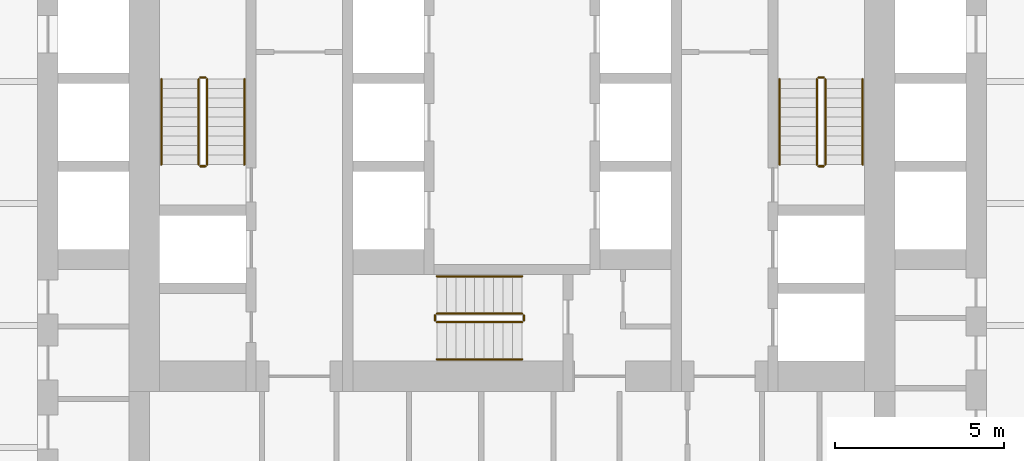
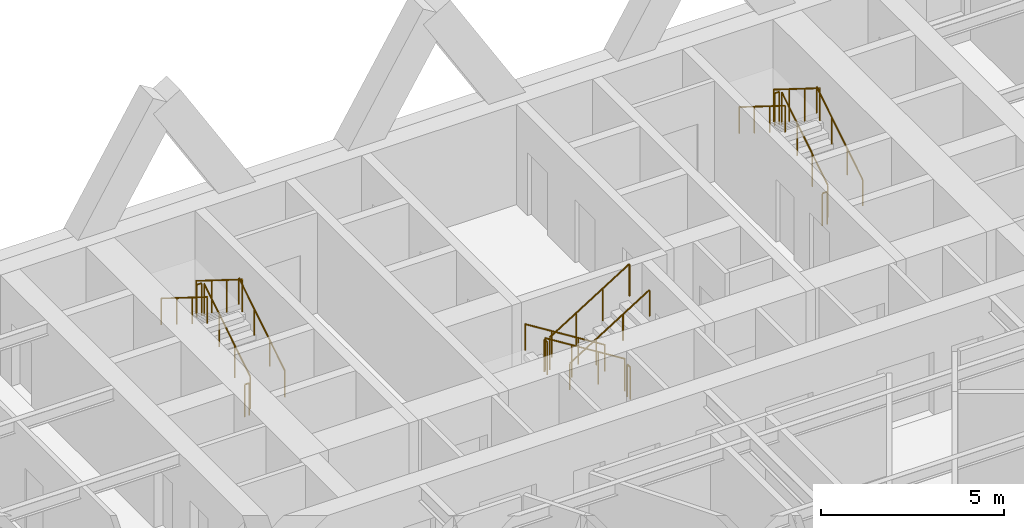
# One storey, part 7 of 7: 18 railings.
"""IFC4 building model written with IfcOpenShell, lengths in metres."""

from ifc_helpers import new_model, si_unit, direction, frame, origin, origin_2d, place, context, subcontext, project, spatial, circle, extrude, material, type_object, element, save


model = new_model("IFC4")

# Units and contexts
model_context = context("Model", 3, precision=1e-05, world=origin(), true_north=direction((0.0, 1.0)))
body_context = subcontext(model_context, "Body", "Model", "MODEL_VIEW")
ifc_project = project(units=[si_unit("LENGTHUNIT", "METRE"), si_unit("AREAUNIT", "SQUARE_METRE"), si_unit("VOLUMEUNIT", "CUBIC_METRE"), si_unit("PLANEANGLEUNIT", "RADIAN"), si_unit("MASSUNIT", "GRAM", prefix="KILO")], contexts=[model_context])

# Site, building, storey
site_placement = place(None, origin())
site = spatial("IfcSite", under=ifc_project, at=site_placement, CompositionType="ELEMENT")
building_placement = place(site_placement, origin())
building = spatial("IfcBuilding", under=site, at=building_placement, Name="Aloe Facet Convention Tower", CompositionType="ELEMENT")
storey_placement = place(building_placement, frame((0.0, 0.0, 81.800048828125)))
storey = spatial("IfcBuildingStorey", under=building, at=storey_placement, Name="L19", CompositionType="ELEMENT", Elevation=81.800048828125)

# Railings
ifc_material_1 = material(Name="Steel S355 balustrade", Category="steel")
railing_type_1 = type_object("IfcRailingType", Name="CR-RL-GUARD", PredefinedType="GUARDRAIL", material=ifc_material_1)
railing_1_placement = place(storey_placement, frame((71.0, 128.949951171875, 0.175048828125)))
element("IfcRailing", 1, at=railing_1_placement, inside=storey, type_object=railing_type_1, Name="L19 ST1 stair guard 1", PredefinedType="GUARDRAIL", context=body_context, shape_type="SweptSolid", body=[
    extrude(circle(Radius=0.02392578125, at=origin_2d()), frame((0.0, 0.0, 1.076171875), z_axis=(0.0, 0.848007534815, 0.529984170421), x_axis=(-1.0, 0.0, 0.0)), (0.0, 0.0, 1.0), 2.9716796875),
    extrude(circle(Radius=0.02099609375, at=origin_2d()), origin(), (0.0, 0.0, 1.0), 1.052001953125),
    extrude(circle(Radius=0.02099609375, at=origin_2d()), frame((0.0, 0.840087890625, 0.52490234375)), (0.0, 0.0, 1.0), 1.052001953125),
    extrude(circle(Radius=0.02099609375, at=origin_2d()), frame((0.0, 1.679931640625, 1.050048828125)), (0.0, 0.0, 1.0), 1.052001953125),
    extrude(circle(Radius=0.02099609375, at=origin_2d()), frame((0.0, 2.52001953125, 1.574951171875)), (0.0, 0.0, 1.0), 1.052001953125),
])
railing_2_placement = place(storey_placement, frame((70.949951171875, 131.52001953125, 1.75)))
element("IfcRailing", 2, at=railing_2_placement, inside=storey, type_object=railing_type_1, Name="L19 ST1 stair guard 2", PredefinedType="GUARDRAIL", context=body_context, shape_type="SweptSolid", body=[
    extrude(circle(Radius=0.02392578125, at=origin_2d()), frame((0.0, 0.0, 1.076171875), z_axis=(-1.0, 0.0, 0.0), x_axis=(0.0, -1.0, 0.0)), (0.0, 0.0, 1.0), 0.14990234375),
    extrude(circle(Radius=0.02099609375, at=origin_2d()), origin(), (0.0, 0.0, 1.0), 1.052001953125),
    extrude(circle(Radius=0.02099609375, at=origin_2d()), frame((-0.14990234375, 0.0, 0.0)), (0.0, 0.0, 1.0), 1.052001953125),
])
railing_3_placement = place(storey_placement, frame((70.75, 131.469970703125, 1.925048828125)))
element("IfcRailing", 3, at=railing_3_placement, inside=storey, type_object=railing_type_1, Name="L19 ST1 stair guard 3", PredefinedType="GUARDRAIL", context=body_context, shape_type="SweptSolid", body=[
    extrude(circle(Radius=0.02392578125, at=origin_2d()), frame((0.0, 0.0, 1.076171875), z_axis=(0.0, -0.848007534815, 0.529984170421), x_axis=(1.0, 0.0, 0.0)), (0.0, 0.0, 1.0), 2.9716796875),
    extrude(circle(Radius=0.02099609375, at=origin_2d()), origin(), (0.0, 0.0, 1.0), 1.052001953125),
    extrude(circle(Radius=0.02099609375, at=origin_2d()), frame((0.0, -0.840087890625, 0.52490234375)), (0.0, 0.0, 1.0), 1.052001953125),
    extrude(circle(Radius=0.02099609375, at=origin_2d()), frame((0.0, -1.679931640625, 1.050048828125)), (0.0, 0.0, 1.0), 1.052001953125),
    extrude(circle(Radius=0.02099609375, at=origin_2d()), frame((0.0, -2.52001953125, 1.574951171875)), (0.0, 0.0, 1.0), 1.052001953125),
])
railing_4_placement = place(storey_placement, frame((70.949951171875, 128.89990234375, 0.0)))
element("IfcRailing", 4, at=railing_4_placement, inside=storey, type_object=railing_type_1, Name="L19 ST1 stair guard 4", PredefinedType="GUARDRAIL", context=body_context, shape_type="SweptSolid", body=[
    extrude(circle(Radius=0.02392578125, at=origin_2d()), frame((0.0, 0.0, 1.076171875), z_axis=(-1.0, 0.0, 0.0), x_axis=(0.0, -1.0, 0.0)), (0.0, 0.0, 1.0), 0.14990234375),
    extrude(circle(Radius=0.02099609375, at=origin_2d()), origin(), (0.0, 0.0, 1.0), 1.052001953125),
    extrude(circle(Radius=0.02099609375, at=origin_2d()), frame((-0.14990234375, 0.0, 0.0)), (0.0, 0.0, 1.0), 1.052001953125),
])
railing_5_placement = place(storey_placement, frame((89.25, 128.949951171875, 0.175048828125)))
element("IfcRailing", 5, at=railing_5_placement, inside=storey, type_object=railing_type_1, Name="L19 ST2 stair guard 1", PredefinedType="GUARDRAIL", context=body_context, shape_type="SweptSolid", body=[
    extrude(circle(Radius=0.02392578125, at=origin_2d()), frame((0.0, 0.0, 1.076171875), z_axis=(0.0, 0.848007534815, 0.529984170421), x_axis=(-1.0, 0.0, 0.0)), (0.0, 0.0, 1.0), 2.9716796875),
    extrude(circle(Radius=0.02099609375, at=origin_2d()), origin(), (0.0, 0.0, 1.0), 1.052001953125),
    extrude(circle(Radius=0.02099609375, at=origin_2d()), frame((0.0, 0.840087890625, 0.52490234375)), (0.0, 0.0, 1.0), 1.052001953125),
    extrude(circle(Radius=0.02099609375, at=origin_2d()), frame((0.0, 1.679931640625, 1.050048828125)), (0.0, 0.0, 1.0), 1.052001953125),
    extrude(circle(Radius=0.02099609375, at=origin_2d()), frame((0.0, 2.52001953125, 1.574951171875)), (0.0, 0.0, 1.0), 1.052001953125),
])
railing_6_placement = place(storey_placement, frame((89.199951171875, 131.52001953125, 1.75)))
element("IfcRailing", 6, at=railing_6_placement, inside=storey, type_object=railing_type_1, Name="L19 ST2 stair guard 2", PredefinedType="GUARDRAIL", context=body_context, shape_type="SweptSolid", body=[
    extrude(circle(Radius=0.02392578125, at=origin_2d()), frame((0.0, 0.0, 1.076171875), z_axis=(-1.0, 0.0, 0.0), x_axis=(0.0, -1.0, 0.0)), (0.0, 0.0, 1.0), 0.14990234375),
    extrude(circle(Radius=0.02099609375, at=origin_2d()), origin(), (0.0, 0.0, 1.0), 1.052001953125),
    extrude(circle(Radius=0.02099609375, at=origin_2d()), frame((-0.14990234375, 0.0, 0.0)), (0.0, 0.0, 1.0), 1.052001953125),
])
railing_7_placement = place(storey_placement, frame((89.0, 131.469970703125, 1.925048828125)))
element("IfcRailing", 7, at=railing_7_placement, inside=storey, type_object=railing_type_1, Name="L19 ST2 stair guard 3", PredefinedType="GUARDRAIL", context=body_context, shape_type="SweptSolid", body=[
    extrude(circle(Radius=0.02392578125, at=origin_2d()), frame((0.0, 0.0, 1.076171875), z_axis=(0.0, -0.848007534815, 0.529984170421), x_axis=(1.0, 0.0, 0.0)), (0.0, 0.0, 1.0), 2.9716796875),
    extrude(circle(Radius=0.02099609375, at=origin_2d()), origin(), (0.0, 0.0, 1.0), 1.052001953125),
    extrude(circle(Radius=0.02099609375, at=origin_2d()), frame((0.0, -0.840087890625, 0.52490234375)), (0.0, 0.0, 1.0), 1.052001953125),
    extrude(circle(Radius=0.02099609375, at=origin_2d()), frame((0.0, -1.679931640625, 1.050048828125)), (0.0, 0.0, 1.0), 1.052001953125),
    extrude(circle(Radius=0.02099609375, at=origin_2d()), frame((0.0, -2.52001953125, 1.574951171875)), (0.0, 0.0, 1.0), 1.052001953125),
])
railing_8_placement = place(storey_placement, frame((89.199951171875, 128.89990234375, 0.0)))
element("IfcRailing", 8, at=railing_8_placement, inside=storey, type_object=railing_type_1, Name="L19 ST2 stair guard 4", PredefinedType="GUARDRAIL", context=body_context, shape_type="SweptSolid", body=[
    extrude(circle(Radius=0.02392578125, at=origin_2d()), frame((0.0, 0.0, 1.076171875), z_axis=(-1.0, 0.0, 0.0), x_axis=(0.0, -1.0, 0.0)), (0.0, 0.0, 1.0), 0.14990234375),
    extrude(circle(Radius=0.02099609375, at=origin_2d()), origin(), (0.0, 0.0, 1.0), 1.052001953125),
    extrude(circle(Radius=0.02099609375, at=origin_2d()), frame((-0.14990234375, 0.0, 0.0)), (0.0, 0.0, 1.0), 1.052001953125),
])
railing_9_placement = place(storey_placement, frame((80.300048828125, 124.550048828125, 0.175048828125)))
element("IfcRailing", 9, at=railing_9_placement, inside=storey, type_object=railing_type_1, Name="L19 ST3 stair guard 1", PredefinedType="GUARDRAIL", context=body_context, shape_type="SweptSolid", body=[
    extrude(circle(Radius=0.02392578125, at=origin_2d()), frame((0.0, 0.0, 1.076171875), z_axis=(-0.848007534815, 0.0, 0.529984170421), x_axis=(0.0, -1.0, 0.0)), (0.0, 0.0, 1.0), 2.9716796875),
    extrude(circle(Radius=0.02099609375, at=origin_2d()), origin(), (0.0, 0.0, 1.0), 1.052001953125),
    extrude(circle(Radius=0.02099609375, at=origin_2d()), frame((-0.840087890625, 0.0, 0.52490234375)), (0.0, 0.0, 1.0), 1.052001953125),
    extrude(circle(Radius=0.02099609375, at=origin_2d()), frame((-1.679931640625, 0.0, 1.050048828125)), (0.0, 0.0, 1.0), 1.052001953125),
    extrude(circle(Radius=0.02099609375, at=origin_2d()), frame((-2.52001953125, 0.0, 1.574951171875)), (0.0, 0.0, 1.0), 1.052001953125),
])
railing_10_placement = place(storey_placement, frame((77.72998046875, 124.5, 1.75)))
element("IfcRailing", 10, at=railing_10_placement, inside=storey, type_object=railing_type_1, Name="L19 ST3 stair guard 2", PredefinedType="GUARDRAIL", context=body_context, shape_type="SweptSolid", body=[
    extrude(circle(Radius=0.02392578125, at=origin_2d()), frame((0.0, 0.0, 1.076171875), z_axis=(0.0, -1.0, 0.0), x_axis=(1.0, 0.0, 0.0)), (0.0, 0.0, 1.0), 0.14990234375),
    extrude(circle(Radius=0.02099609375, at=origin_2d()), origin(), (0.0, 0.0, 1.0), 1.052001953125),
    extrude(circle(Radius=0.02099609375, at=origin_2d()), frame((0.0, -0.14990234375, 0.0)), (0.0, 0.0, 1.0), 1.052001953125),
])
railing_11_placement = place(storey_placement, frame((77.780029296875, 124.300048828125, 1.925048828125)))
element("IfcRailing", 11, at=railing_11_placement, inside=storey, type_object=railing_type_1, Name="L19 ST3 stair guard 3", PredefinedType="GUARDRAIL", context=body_context, shape_type="SweptSolid", body=[
    extrude(circle(Radius=0.02392578125, at=origin_2d()), frame((0.0, 0.0, 1.076171875), z_axis=(0.848007534815, 0.0, 0.529984170421), x_axis=(0.0, 1.0, 0.0)), (0.0, 0.0, 1.0), 2.9716796875),
    extrude(circle(Radius=0.02099609375, at=origin_2d()), origin(), (0.0, 0.0, 1.0), 1.052001953125),
    extrude(circle(Radius=0.02099609375, at=origin_2d()), frame((0.840087890625, 0.0, 0.52490234375)), (0.0, 0.0, 1.0), 1.052001953125),
    extrude(circle(Radius=0.02099609375, at=origin_2d()), frame((1.679931640625, 0.0, 1.050048828125)), (0.0, 0.0, 1.0), 1.052001953125),
    extrude(circle(Radius=0.02099609375, at=origin_2d()), frame((2.52001953125, 0.0, 1.574951171875)), (0.0, 0.0, 1.0), 1.052001953125),
])
railing_12_placement = place(storey_placement, frame((80.35009765625, 124.5, 0.0)))
element("IfcRailing", 12, at=railing_12_placement, inside=storey, type_object=railing_type_1, Name="L19 ST3 stair guard 4", PredefinedType="GUARDRAIL", context=body_context, shape_type="SweptSolid", body=[
    extrude(circle(Radius=0.02392578125, at=origin_2d()), frame((0.0, 0.0, 1.076171875), z_axis=(0.0, -1.0, 0.0), x_axis=(1.0, 0.0, 0.0)), (0.0, 0.0, 1.0), 0.14990234375),
    extrude(circle(Radius=0.02099609375, at=origin_2d()), origin(), (0.0, 0.0, 1.0), 1.052001953125),
    extrude(circle(Radius=0.02099609375, at=origin_2d()), frame((0.0, -0.14990234375, 0.0)), (0.0, 0.0, 1.0), 1.052001953125),
])
ifc_material_2 = material(Name="Steel S355 handrail", Category="steel")
railing_type_2 = type_object("IfcRailingType", Name="CR-RL-HAND", PredefinedType="HANDRAIL", material=ifc_material_2)
railing_13_placement = place(storey_placement, frame((72.10009765625, 128.949951171875, 0.175048828125)))
element("IfcRailing", 13, at=railing_13_placement, inside=storey, type_object=railing_type_2, Name="L19 ST1 stair handrail 1", PredefinedType="HANDRAIL", context=body_context, shape_type="SweptSolid", body=[
    extrude(circle(Radius=0.02392578125, at=origin_2d()), frame((0.0, 0.0, 0.8759765625), z_axis=(0.0, 0.848007534815, 0.529984170421), x_axis=(-1.0, 0.0, 0.0)), (0.0, 0.0, 1.0), 2.9716796875),
    extrude(circle(Radius=0.02099609375, at=origin_2d()), origin(), (0.0, 0.0, 1.0), 0.851806640625),
    extrude(circle(Radius=0.02099609375, at=origin_2d()), frame((0.0, 0.840087890625, 0.52490234375)), (0.0, 0.0, 1.0), 0.851806640625),
    extrude(circle(Radius=0.02099609375, at=origin_2d()), frame((0.0, 1.679931640625, 1.050048828125)), (0.0, 0.0, 1.0), 0.851806640625),
    extrude(circle(Radius=0.02099609375, at=origin_2d()), frame((0.0, 2.52001953125, 1.574951171875)), (0.0, 0.0, 1.0), 0.851806640625),
])
railing_14_placement = place(storey_placement, frame((69.64990234375, 131.469970703125, 1.925048828125)))
element("IfcRailing", 14, at=railing_14_placement, inside=storey, type_object=railing_type_2, Name="L19 ST1 stair handrail 2", PredefinedType="HANDRAIL", context=body_context, shape_type="SweptSolid", body=[
    extrude(circle(Radius=0.02392578125, at=origin_2d()), frame((0.0, 0.0, 0.8759765625), z_axis=(0.0, -0.848007534815, 0.529984170421), x_axis=(1.0, 0.0, 0.0)), (0.0, 0.0, 1.0), 2.9716796875),
    extrude(circle(Radius=0.02099609375, at=origin_2d()), origin(), (0.0, 0.0, 1.0), 0.851806640625),
    extrude(circle(Radius=0.02099609375, at=origin_2d()), frame((0.0, -0.840087890625, 0.52490234375)), (0.0, 0.0, 1.0), 0.851806640625),
    extrude(circle(Radius=0.02099609375, at=origin_2d()), frame((0.0, -1.679931640625, 1.050048828125)), (0.0, 0.0, 1.0), 0.851806640625),
    extrude(circle(Radius=0.02099609375, at=origin_2d()), frame((0.0, -2.52001953125, 1.574951171875)), (0.0, 0.0, 1.0), 0.851806640625),
])
railing_15_placement = place(storey_placement, frame((90.35009765625, 128.949951171875, 0.175048828125)))
element("IfcRailing", 15, at=railing_15_placement, inside=storey, type_object=railing_type_2, Name="L19 ST2 stair handrail 1", PredefinedType="HANDRAIL", context=body_context, shape_type="SweptSolid", body=[
    extrude(circle(Radius=0.02392578125, at=origin_2d()), frame((0.0, 0.0, 0.8759765625), z_axis=(0.0, 0.848007534815, 0.529984170421), x_axis=(-1.0, 0.0, 0.0)), (0.0, 0.0, 1.0), 2.9716796875),
    extrude(circle(Radius=0.02099609375, at=origin_2d()), origin(), (0.0, 0.0, 1.0), 0.851806640625),
    extrude(circle(Radius=0.02099609375, at=origin_2d()), frame((0.0, 0.840087890625, 0.52490234375)), (0.0, 0.0, 1.0), 0.851806640625),
    extrude(circle(Radius=0.02099609375, at=origin_2d()), frame((0.0, 1.679931640625, 1.050048828125)), (0.0, 0.0, 1.0), 0.851806640625),
    extrude(circle(Radius=0.02099609375, at=origin_2d()), frame((0.0, 2.52001953125, 1.574951171875)), (0.0, 0.0, 1.0), 0.851806640625),
])
railing_16_placement = place(storey_placement, frame((87.89990234375, 131.469970703125, 1.925048828125)))
element("IfcRailing", 16, at=railing_16_placement, inside=storey, type_object=railing_type_2, Name="L19 ST2 stair handrail 2", PredefinedType="HANDRAIL", context=body_context, shape_type="SweptSolid", body=[
    extrude(circle(Radius=0.02392578125, at=origin_2d()), frame((0.0, 0.0, 0.8759765625), z_axis=(0.0, -0.848007534815, 0.529984170421), x_axis=(1.0, 0.0, 0.0)), (0.0, 0.0, 1.0), 2.9716796875),
    extrude(circle(Radius=0.02099609375, at=origin_2d()), origin(), (0.0, 0.0, 1.0), 0.851806640625),
    extrude(circle(Radius=0.02099609375, at=origin_2d()), frame((0.0, -0.840087890625, 0.52490234375)), (0.0, 0.0, 1.0), 0.851806640625),
    extrude(circle(Radius=0.02099609375, at=origin_2d()), frame((0.0, -1.679931640625, 1.050048828125)), (0.0, 0.0, 1.0), 0.851806640625),
    extrude(circle(Radius=0.02099609375, at=origin_2d()), frame((0.0, -2.52001953125, 1.574951171875)), (0.0, 0.0, 1.0), 0.851806640625),
])
railing_17_placement = place(storey_placement, frame((80.300048828125, 125.64990234375, 0.175048828125)))
element("IfcRailing", 17, at=railing_17_placement, inside=storey, type_object=railing_type_2, Name="L19 ST3 stair handrail 1", PredefinedType="HANDRAIL", context=body_context, shape_type="SweptSolid", body=[
    extrude(circle(Radius=0.02392578125, at=origin_2d()), frame((0.0, 0.0, 0.8759765625), z_axis=(-0.848007534815, 0.0, 0.529984170421), x_axis=(0.0, -1.0, 0.0)), (0.0, 0.0, 1.0), 2.9716796875),
    extrude(circle(Radius=0.02099609375, at=origin_2d()), origin(), (0.0, 0.0, 1.0), 0.851806640625),
    extrude(circle(Radius=0.02099609375, at=origin_2d()), frame((-0.840087890625, 0.0, 0.52490234375)), (0.0, 0.0, 1.0), 0.851806640625),
    extrude(circle(Radius=0.02099609375, at=origin_2d()), frame((-1.679931640625, 0.0, 1.050048828125)), (0.0, 0.0, 1.0), 0.851806640625),
    extrude(circle(Radius=0.02099609375, at=origin_2d()), frame((-2.52001953125, 0.0, 1.574951171875)), (0.0, 0.0, 1.0), 0.851806640625),
])
railing_18_placement = place(storey_placement, frame((77.780029296875, 123.199951171875, 1.925048828125)))
element("IfcRailing", 18, at=railing_18_placement, inside=storey, type_object=railing_type_2, Name="L19 ST3 stair handrail 2", PredefinedType="HANDRAIL", context=body_context, shape_type="SweptSolid", body=[
    extrude(circle(Radius=0.02392578125, at=origin_2d()), frame((0.0, 0.0, 0.8759765625), z_axis=(0.848007534815, 0.0, 0.529984170421), x_axis=(0.0, 1.0, 0.0)), (0.0, 0.0, 1.0), 2.9716796875),
    extrude(circle(Radius=0.02099609375, at=origin_2d()), origin(), (0.0, 0.0, 1.0), 0.851806640625),
    extrude(circle(Radius=0.02099609375, at=origin_2d()), frame((0.840087890625, 0.0, 0.52490234375)), (0.0, 0.0, 1.0), 0.851806640625),
    extrude(circle(Radius=0.02099609375, at=origin_2d()), frame((1.679931640625, 0.0, 1.050048828125)), (0.0, 0.0, 1.0), 0.851806640625),
    extrude(circle(Radius=0.02099609375, at=origin_2d()), frame((2.52001953125, 0.0, 1.574951171875)), (0.0, 0.0, 1.0), 0.851806640625),
])

save(model, "model.ifc")
